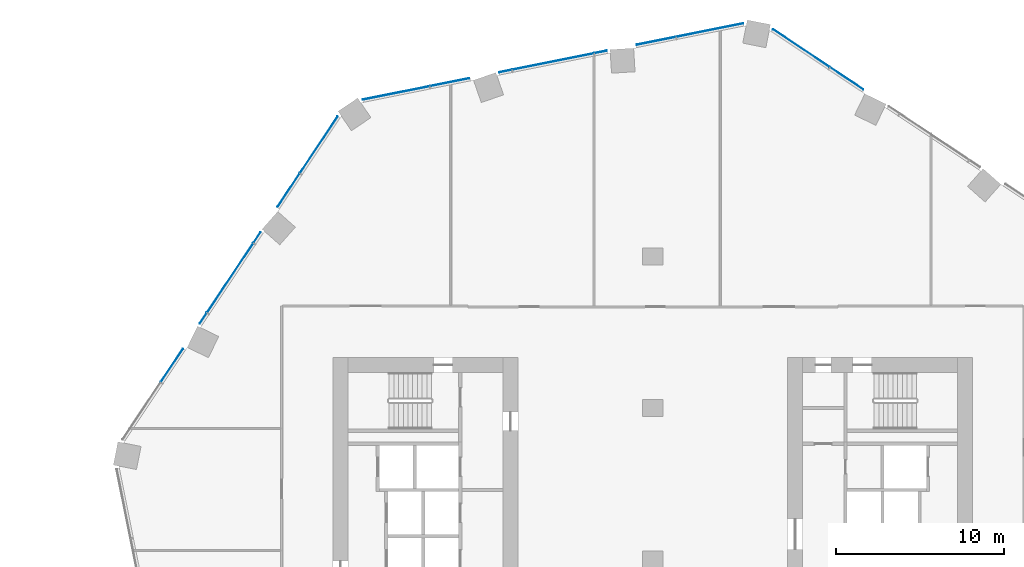
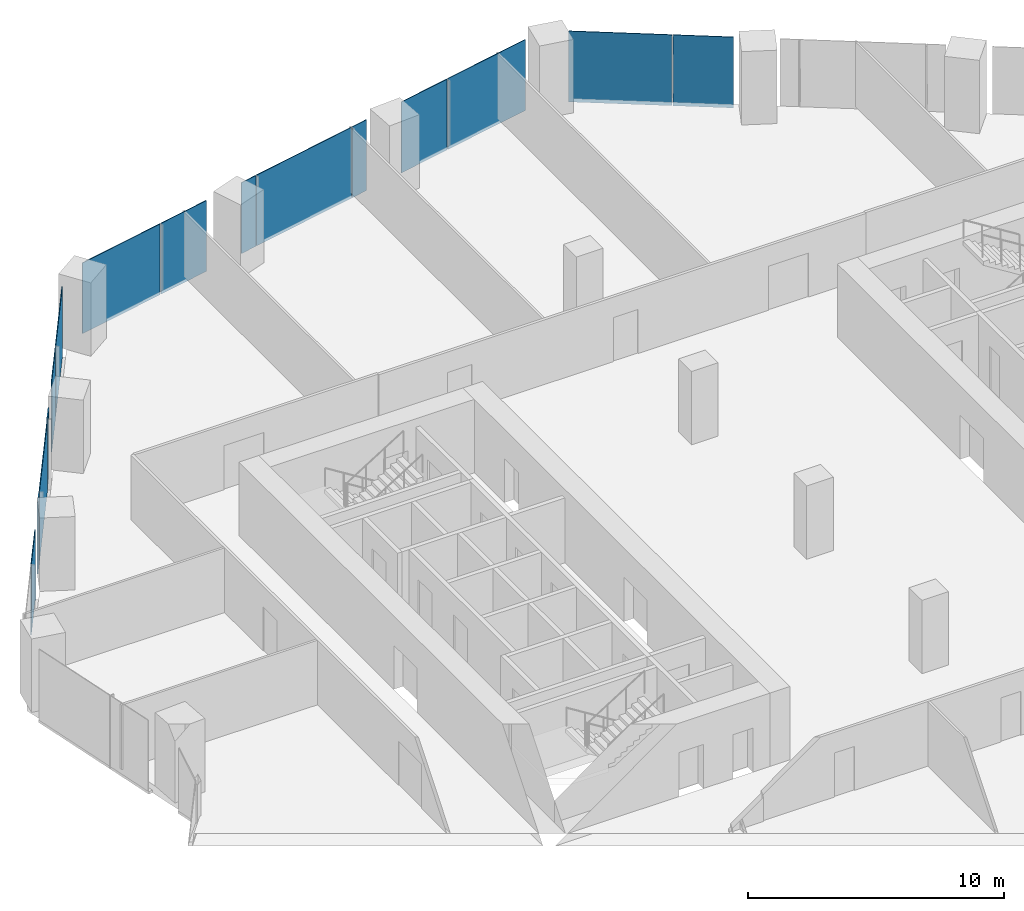
# One storey, part 24 of 38: 15 plates, 3 elements without a shape of their own.
"""IFC4 building model written with IfcOpenShell, lengths in metres."""

from ifc_helpers import new_model, si_unit, direction, frame, origin, origin_2d, place, context, subcontext, project, spatial, rectangle, extrude, material, layer, layer_set, type_object, element, aggregate, save


model = new_model("IFC4")

# Units and contexts
model_context = context("Model", 3, precision=1e-05, world=origin(), true_north=direction((0.0, 1.0)))
body_context = subcontext(model_context, "Body", "Model", "MODEL_VIEW")
ifc_project = project(units=[si_unit("LENGTHUNIT", "METRE"), si_unit("AREAUNIT", "SQUARE_METRE"), si_unit("VOLUMEUNIT", "CUBIC_METRE"), si_unit("PLANEANGLEUNIT", "RADIAN"), si_unit("MASSUNIT", "GRAM", prefix="KILO")], contexts=[model_context])

# Site, building, storey
site_placement = place(None, origin())
site = spatial("IfcSite", under=ifc_project, at=site_placement, CompositionType="ELEMENT")
building_placement = place(site_placement, origin())
building = spatial("IfcBuilding", under=site, at=building_placement, Name="Orlundy Tower", CompositionType="ELEMENT")
storey_placement = place(building_placement, frame((0.0, 0.0, 65.800048828125)))
storey = spatial("IfcBuildingStorey", under=building, at=storey_placement, Name="L15", CompositionType="ELEMENT", Elevation=65.800048828125)

# Curtain wall, plates
ifc_material_1 = material(Name="Aluminium bronze anodised", Category="aluminium")
curtain_wall_type = type_object("IfcCurtainWallType", Name="CW1 wall", PredefinedType="NOTDEFINED", material=ifc_material_1)
curtain_wall_1_placement = place(storey_placement, origin())
curtain_wall_1 = element("IfcCurtainWall", 1, at=curtain_wall_1_placement, inside=storey, type_object=curtain_wall_type, Name="CW1 run 014", PredefinedType="NOTDEFINED")
ifc_material_2 = material(Name="Tinted glass", Category="glass")
ifc_layer = layer(ifc_material_2, 0.031982421875)
ifc_layer_set = layer_set([ifc_layer], Name="CW1 glass panel 32")
plate_type = type_object("IfcPlateType", Name="CW1 glass panel 32", PredefinedType="CURTAIN_PANEL", material=ifc_layer_set)
plate_1_placement = place(storey_placement, frame((-28.57080078125, 11.5185546875, -0.280029296875), z_axis=(0.0, 0.0, 1.0), x_axis=(0.554356579774, 0.832279269513, 0.0)))
plate_1 = element("IfcPlate", 2, at=plate_1_placement, type_object=plate_type, Name="CW1 panel", PredefinedType="CURTAIN_PANEL", context=body_context, shape_type="SweptSolid", body=[
    extrude(rectangle(XDim=2.357666015625, YDim=0.031982421875, at=origin_2d()), origin(), (0.0, 0.0, 1.0), 3.3798828125),
])
plate_2_placement = place(storey_placement, frame((-26.703369140625, 14.322265625, -0.280029296875), z_axis=(0.0, 0.0, 1.0), x_axis=(0.554356579774, 0.832279269513, 0.0)))
plate_2 = element("IfcPlate", 3, at=plate_2_placement, type_object=plate_type, Name="CW1 panel", PredefinedType="CURTAIN_PANEL", context=body_context, shape_type="SweptSolid", body=[
    extrude(rectangle(XDim=0.745849609375, YDim=0.031982421875, at=origin_2d()), origin(), (0.0, 0.0, 1.0), 3.3798828125),
])
plate_3_placement = place(storey_placement, frame((-25.10498046875, 16.721923828125, -0.280029296875), z_axis=(0.0, 0.0, 1.0), x_axis=(0.554356579774, 0.832279269513, 0.0)))
plate_3 = element("IfcPlate", 4, at=plate_3_placement, type_object=plate_type, Name="CW1 panel", PredefinedType="CURTAIN_PANEL", context=body_context, shape_type="SweptSolid", body=[
    extrude(rectangle(XDim=4.92041015625, YDim=0.031982421875, at=origin_2d()), origin(), (0.0, 0.0, 1.0), 3.3798828125),
])
plate_4_placement = place(storey_placement, frame((-23.506591796875, 19.12158203125, -0.280029296875), z_axis=(0.0, 0.0, 1.0), x_axis=(0.554356579774, 0.832279269513, 0.0)))
plate_4 = element("IfcPlate", 5, at=plate_4_placement, type_object=plate_type, Name="CW1 panel", PredefinedType="CURTAIN_PANEL", context=body_context, shape_type="SweptSolid", body=[
    extrude(rectangle(XDim=0.74609375, YDim=0.031982421875, at=origin_2d()), origin(), (0.0, 0.0, 1.0), 3.3798828125),
])
plate_5_placement = place(storey_placement, frame((-21.63916015625, 21.92529296875, -0.280029296875), z_axis=(0.0, 0.0, 1.0), x_axis=(0.554356579774, 0.832279269513, 0.0)))
plate_5 = element("IfcPlate", 6, at=plate_5_placement, type_object=plate_type, Name="CW1 panel", PredefinedType="CURTAIN_PANEL", context=body_context, shape_type="SweptSolid", body=[
    extrude(rectangle(XDim=2.357421875, YDim=0.031982421875, at=origin_2d()), origin(), (0.0, 0.0, 1.0), 3.3798828125),
])
plate_6_placement = place(storey_placement, frame((-19.83837890625, 24.629150390625, -0.280029296875), z_axis=(0.0, 0.0, 1.0), x_axis=(0.554356579774, 0.832279269513, 0.0)))
plate_6 = element("IfcPlate", 7, at=plate_6_placement, type_object=plate_type, Name="CW1 panel", PredefinedType="CURTAIN_PANEL", context=body_context, shape_type="SweptSolid", body=[
    extrude(rectangle(XDim=4.039794921875, YDim=0.031982421875, at=origin_2d()), origin(), (0.0, 0.0, 1.0), 3.3798828125),
])
aggregate(curtain_wall_1, [plate_1, plate_2, plate_3, plate_4, plate_5, plate_6])

curtain_wall_2_placement = place(storey_placement, origin())
curtain_wall_2 = element("IfcCurtainWall", 8, at=curtain_wall_2_placement, inside=storey, type_object=curtain_wall_type, Name="CW1 run 015", PredefinedType="NOTDEFINED")
plate_7_placement = place(storey_placement, frame((-15.242919921875, 27.708740234375, -0.280029296875), z_axis=(0.0, 0.0, 1.0), x_axis=(0.980501672583, 0.196510737775, 0.0)))
plate_7 = element("IfcPlate", 9, at=plate_7_placement, type_object=plate_type, Name="CW1 panel", PredefinedType="CURTAIN_PANEL", context=body_context, shape_type="SweptSolid", body=[
    extrude(rectangle(XDim=4.038818359375, YDim=0.031982421875, at=origin_2d()), origin(), (0.0, 0.0, 1.0), 3.3798828125),
])
plate_8_placement = place(storey_placement, frame((-12.05810546875, 28.34716796875, -0.280029296875), z_axis=(0.0, 0.0, 1.0), x_axis=(0.980501672583, 0.196510737775, 0.0)))
plate_8 = element("IfcPlate", 10, at=plate_8_placement, type_object=plate_type, Name="CW1 panel", PredefinedType="CURTAIN_PANEL", context=body_context, shape_type="SweptSolid", body=[
    extrude(rectangle(XDim=2.357421875, YDim=0.031982421875, at=origin_2d()), origin(), (0.0, 0.0, 1.0), 3.3798828125),
])
plate_9_placement = place(storey_placement, frame((-8.7548828125, 29.00927734375, -0.280029296875), z_axis=(0.0, 0.0, 1.0), x_axis=(0.980501672583, 0.196510737775, 0.0)))
plate_9 = element("IfcPlate", 11, at=plate_9_placement, type_object=plate_type, Name="CW1 panel", PredefinedType="CURTAIN_PANEL", context=body_context, shape_type="SweptSolid", body=[
    extrude(rectangle(XDim=0.74609375, YDim=0.031982421875, at=origin_2d()), origin(), (0.0, 0.0, 1.0), 3.3798828125),
])
plate_10_placement = place(storey_placement, frame((-5.927734375, 29.57568359375, -0.280029296875), z_axis=(0.0, 0.0, 1.0), x_axis=(0.980501672583, 0.196510737775, 0.0)))
plate_10 = element("IfcPlate", 12, at=plate_10_placement, type_object=plate_type, Name="CW1 panel", PredefinedType="CURTAIN_PANEL", context=body_context, shape_type="SweptSolid", body=[
    extrude(rectangle(XDim=4.920654296875, YDim=0.031982421875, at=origin_2d()), origin(), (0.0, 0.0, 1.0), 3.3798828125),
])
plate_11_placement = place(storey_placement, frame((-3.100341796875, 30.142333984375, -0.280029296875), z_axis=(0.0, 0.0, 1.0), x_axis=(0.980501672583, 0.196510737775, 0.0)))
plate_11 = element("IfcPlate", 13, at=plate_11_placement, type_object=plate_type, Name="CW1 panel", PredefinedType="CURTAIN_PANEL", context=body_context, shape_type="SweptSolid", body=[
    extrude(rectangle(XDim=0.746337890625, YDim=0.031982421875, at=origin_2d()), origin(), (0.0, 0.0, 1.0), 3.3798828125),
])
plate_12_placement = place(storey_placement, frame((0.202880859375, 30.804443359375, -0.280029296875), z_axis=(0.0, 0.0, 1.0), x_axis=(0.980501672583, 0.196510737775, 0.0)))
plate_12 = element("IfcPlate", 14, at=plate_12_placement, type_object=plate_type, Name="CW1 panel", PredefinedType="CURTAIN_PANEL", context=body_context, shape_type="SweptSolid", body=[
    extrude(rectangle(XDim=2.357421875, YDim=0.031982421875, at=origin_2d()), origin(), (0.0, 0.0, 1.0), 3.3798828125),
])
plate_13_placement = place(storey_placement, frame((3.3876953125, 31.44287109375, -0.280029296875), z_axis=(0.0, 0.0, 1.0), x_axis=(0.980501672583, 0.196510737775, 0.0)))
plate_13 = element("IfcPlate", 15, at=plate_13_placement, type_object=plate_type, Name="CW1 panel", PredefinedType="CURTAIN_PANEL", context=body_context, shape_type="SweptSolid", body=[
    extrude(rectangle(XDim=4.039306640625, YDim=0.031982421875, at=origin_2d()), origin(), (0.0, 0.0, 1.0), 3.3798828125),
])
aggregate(curtain_wall_2, [plate_7, plate_8, plate_9, plate_10, plate_11, plate_12, plate_13])

curtain_wall_3_placement = place(storey_placement, origin())
curtain_wall_3 = element("IfcCurtainWall", 16, at=curtain_wall_3_placement, inside=storey, type_object=curtain_wall_type, Name="CW1 run 016", PredefinedType="NOTDEFINED")
plate_14_placement = place(storey_placement, frame((8.81494140625, 30.37158203125, -0.280029296875), z_axis=(0.0, 0.0, 1.0), x_axis=(0.832279269513, -0.554356579774, 0.0)))
plate_14 = element("IfcPlate", 17, at=plate_14_placement, type_object=plate_type, Name="CW1 panel", PredefinedType="CURTAIN_PANEL", context=body_context, shape_type="SweptSolid", body=[
    extrude(rectangle(XDim=4.03955078125, YDim=0.031982421875, at=origin_2d()), origin(), (0.0, 0.0, 1.0), 3.3798828125),
])
plate_15_placement = place(storey_placement, frame((11.5185546875, 28.57080078125, -0.280029296875), z_axis=(0.0, 0.0, 1.0), x_axis=(0.832279269513, -0.554356579774, 0.0)))
plate_15 = element("IfcPlate", 18, at=plate_15_placement, type_object=plate_type, Name="CW1 panel", PredefinedType="CURTAIN_PANEL", context=body_context, shape_type="SweptSolid", body=[
    extrude(rectangle(XDim=2.357666015625, YDim=0.031982421875, at=origin_2d()), origin(), (0.0, 0.0, 1.0), 3.3798828125),
])
aggregate(curtain_wall_3, [plate_14, plate_15])

save(model, "model.ifc")
